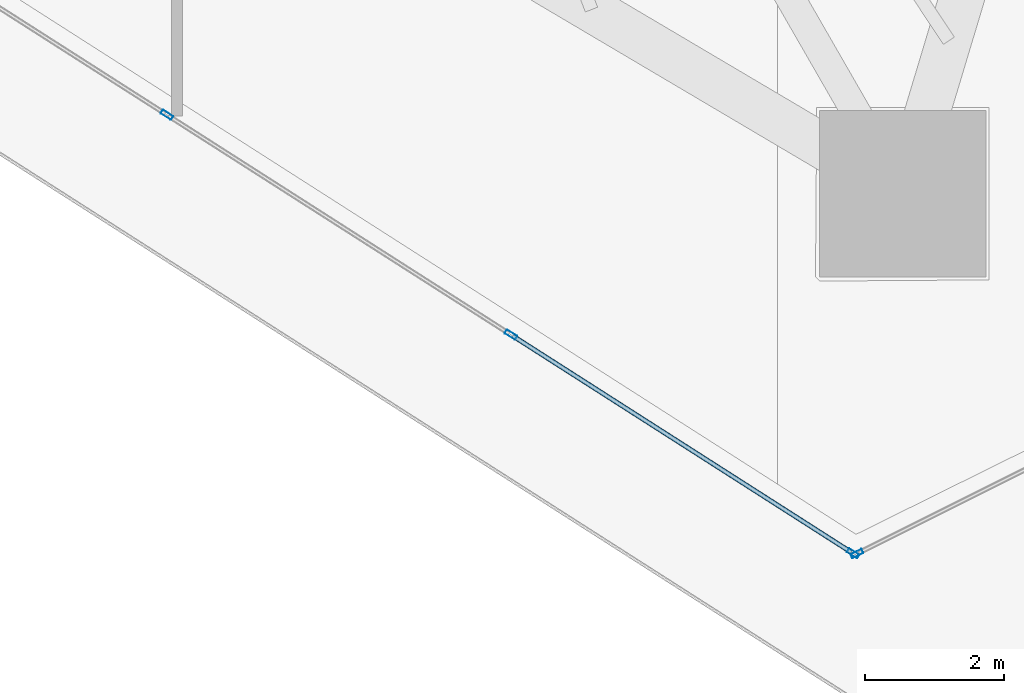
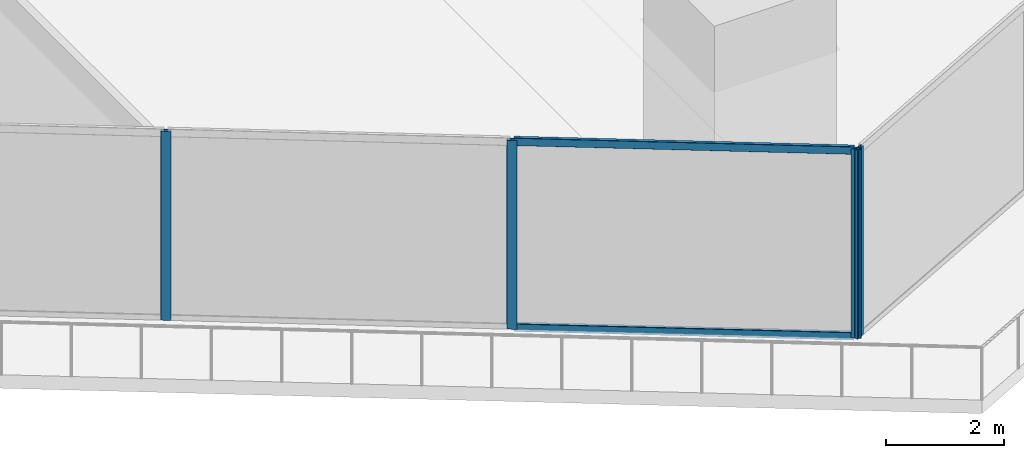
# One storey, part 7 of 44: 6 members, 2 elements without a shape of their own.
"""IFC4 building model written with IfcOpenShell, lengths in metres."""

from ifc_helpers import new_model, si_unit, direction, frame, origin, origin_2d, place, context, subcontext, project, spatial, hollow_rectangle, extrude, material, layer, layer_set, material_profile, profile_set, type_object, element, aggregate, save


model = new_model("IFC4")

# Units and contexts
model_context = context("Model", 3, precision=1e-05, world=origin(), true_north=direction((0.0, 1.0)))
body_context = subcontext(model_context, "Body", "Model", "MODEL_VIEW")
ifc_project = project(units=[si_unit("LENGTHUNIT", "METRE"), si_unit("AREAUNIT", "SQUARE_METRE"), si_unit("VOLUMEUNIT", "CUBIC_METRE"), si_unit("PLANEANGLEUNIT", "RADIAN"), si_unit("MASSUNIT", "GRAM", prefix="KILO")], contexts=[model_context])

# Site, building, storey
site_placement = place(None, origin())
site = spatial("IfcSite", under=ifc_project, at=site_placement, CompositionType="ELEMENT")
building_placement = place(site_placement, origin())
building = spatial("IfcBuilding", under=site, at=building_placement, Name="Qorvath Tower", CompositionType="ELEMENT")
storey_placement = place(building_placement, frame((0.0, 0.0, 70.199951171875)))
storey = spatial("IfcBuildingStorey", under=building, at=storey_placement, Name="L15", CompositionType="ELEMENT", Elevation=70.199951171875)

# Curtain wall, members
ifc_material_1 = material(Name="Anodised aluminium and triple low-E glass", Category="aluminium")
ifc_layer = layer(ifc_material_1, 0.179931640625)
ifc_layer_set = layer_set([ifc_layer], Name="CW-SYS-2")
curtain_wall_type = type_object("IfcCurtainWallType", Name="CW-SYS-2", PredefinedType="NOTDEFINED", material=ifc_layer_set)
curtain_wall_1_placement = place(storey_placement, origin())
curtain_wall_1 = element("IfcCurtainWall", 1, at=curtain_wall_1_placement, inside=storey, type_object=curtain_wall_type, Name="Curtain Wall CW-2 CW-T-L15-2.2", PredefinedType="NOTDEFINED")
ifc_material_2 = material(Name="Anodised aluminium 6063-T6", Category="aluminium")
ifc_material_profile_1 = material_profile(ifc_material_2, hollow_rectangle(XDim=0.06494140625, YDim=0.179931640625, WallThickness=0.00341796875, InnerFilletRadius=0.00341796875, OuterFilletRadius=0.007080078125, at=origin_2d()), Name="CWM 180x65")
ifc_profile_set_1 = profile_set([ifc_material_profile_1], Name="Anodised aluminium 6063-T6")
member_type_1 = type_object("IfcMemberType", Name="CWM-180", PredefinedType="MULLION", material=ifc_profile_set_1)
member_1_placement = place(storey_placement, frame((-25.077880859375, -26.193115234375, 0.0), z_axis=(0.0, 0.0, 1.0), x_axis=(0.538537072857, 0.842601816494, 0.0)))
member_1 = element("IfcMember", 2, at=member_1_placement, type_object=member_type_1, Name="CW-2 mullion 4", PredefinedType="MULLION", context=body_context, shape_type="SweptSolid", body=[
    extrude(hollow_rectangle(XDim=0.06494140625, YDim=0.179931640625, WallThickness=0.00341796875, InnerFilletRadius=0.00341796875, OuterFilletRadius=0.007080078125, at=origin_2d()), origin(), (0.0, 0.0, 1.0), 3.920166015625),
])
member_2_placement = place(storey_placement, frame((-20.116455078125, -29.3642578125, 0.0), z_axis=(0.0, 0.0, 1.0), x_axis=(0.538537072857, 0.842601816494, 0.0)))
member_2 = element("IfcMember", 3, at=member_2_placement, type_object=member_type_1, Name="CW-2 mullion 5", PredefinedType="MULLION", context=body_context, shape_type="SweptSolid", body=[
    extrude(hollow_rectangle(XDim=0.06494140625, YDim=0.179931640625, WallThickness=0.00341796875, InnerFilletRadius=0.00341796875, OuterFilletRadius=0.007080078125, at=origin_2d()), origin(), (0.0, 0.0, 1.0), 3.920166015625),
])
member_3_placement = place(storey_placement, frame((-15.182373046875, -32.517578125, 0.0), z_axis=(0.0, 0.0, 1.0), x_axis=(0.538537072857, 0.842601816494, 0.0)))
member_3 = element("IfcMember", 4, at=member_3_placement, type_object=member_type_1, Name="CW-2 mullion 6", PredefinedType="MULLION", context=body_context, shape_type="SweptSolid", body=[
    extrude(hollow_rectangle(XDim=0.06494140625, YDim=0.179931640625, WallThickness=0.00341796875, InnerFilletRadius=0.00341796875, OuterFilletRadius=0.007080078125, at=origin_2d()), origin(), (0.0, 0.0, 1.0), 3.920166015625),
])

# Curtain wall, member
curtain_wall_2_placement = place(storey_placement, origin())
curtain_wall_2 = element("IfcCurtainWall", 5, at=curtain_wall_2_placement, inside=storey, type_object=curtain_wall_type, Name="Curtain Wall CW-2 CW-T-L15-3.1", PredefinedType="NOTDEFINED")
member_4_placement = place(storey_placement, frame((-15.1259765625, -32.520751953125, 0.0), z_axis=(0.0, 0.0, 1.0), x_axis=(-0.447221292931, 0.894423342243, 0.0)))
member_4 = element("IfcMember", 6, at=member_4_placement, type_object=member_type_1, Name="CW-2 mullion 1", PredefinedType="MULLION", context=body_context, shape_type="SweptSolid", body=[
    extrude(hollow_rectangle(XDim=0.06494140625, YDim=0.179931640625, WallThickness=0.00341796875, InnerFilletRadius=0.00341796875, OuterFilletRadius=0.007080078125, at=origin_2d()), origin(), (0.0, 0.0, 1.0), 3.920166015625),
])
aggregate(curtain_wall_2, [member_4])

# Member
ifc_material_3 = material(Name="Anodised aluminium 6063-T6", Category="aluminium")
ifc_material_profile_2 = material_profile(ifc_material_3, hollow_rectangle(XDim=0.06494140625, YDim=0.159912109375, WallThickness=0.00341796875, InnerFilletRadius=0.00341796875, OuterFilletRadius=0.007080078125, at=origin_2d()), Name="CWT 160x65")
ifc_profile_set_2 = profile_set([ifc_material_profile_2], Name="Anodised aluminium 6063-T6")
member_type_2 = type_object("IfcMemberType", Name="CWT-160", PredefinedType="USERDEFINED", material=ifc_profile_set_2)
member_5_placement = place(storey_placement, frame((-20.089111328125, -29.381591796875, 0.032470703125), z_axis=(0.842597419402, -0.538543952539, 0.0), x_axis=(0.538543952539, 0.842597419402, 0.0)))
member_5 = element("IfcMember", 7, at=member_5_placement, type_object=member_type_2, Name="CW-2 transom 5.1", ObjectType="TRANSOM", PredefinedType="USERDEFINED", context=body_context, shape_type="SweptSolid", body=[
    extrude(hollow_rectangle(XDim=0.06494140625, YDim=0.159912109375, WallThickness=0.00341796875, InnerFilletRadius=0.00341796875, OuterFilletRadius=0.007080078125, at=origin_2d()), origin(), (0.0, 0.0, 1.0), 5.791015625),
])

member_6_placement = place(storey_placement, frame((-20.089111328125, -29.381591796875, 3.8876953125), z_axis=(0.842597419402, -0.538543952539, 0.0), x_axis=(0.538543952539, 0.842597419402, 0.0)))
member_6 = element("IfcMember", 8, at=member_6_placement, type_object=member_type_2, Name="CW-2 transom 5.2", ObjectType="TRANSOM", PredefinedType="USERDEFINED", context=body_context, shape_type="SweptSolid", body=[
    extrude(hollow_rectangle(XDim=0.06494140625, YDim=0.159912109375, WallThickness=0.00341796875, InnerFilletRadius=0.00341796875, OuterFilletRadius=0.007080078125, at=origin_2d()), origin(), (0.0, 0.0, 1.0), 5.791015625),
])

aggregate(curtain_wall_1, [member_1, member_2, member_3, member_5, member_6])

save(model, "model.ifc")
